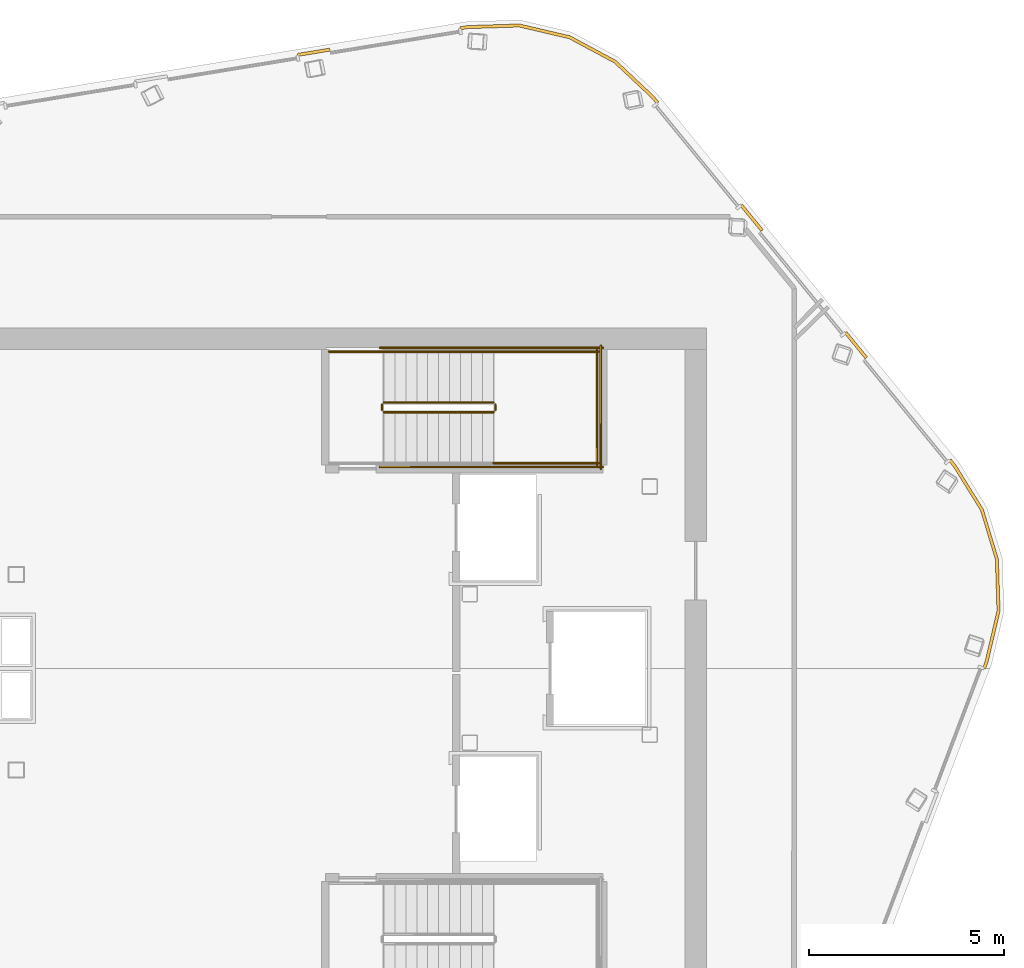
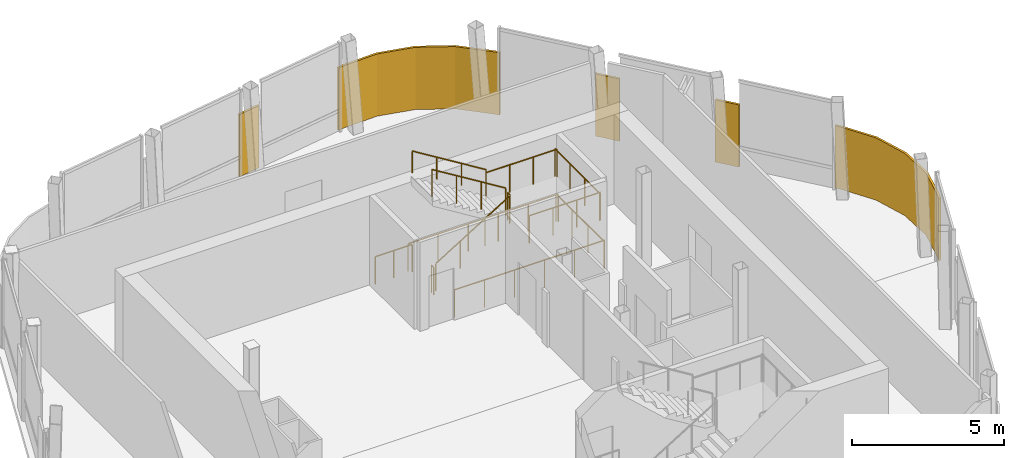
# One storey, part 8 of 8: 12 railings, 5 coverings.
"""IFC4 building model written with IfcOpenShell, lengths in metres."""

from ifc_helpers import new_model, si_unit, direction, frame, origin, origin_2d, place, context, subcontext, project, spatial, polyline, circle, outline, extrude, material, layer, layer_set, type_object, element, save


model = new_model("IFC4")

# Units and contexts
model_context = context("Model", 3, precision=1e-05, world=origin(), true_north=direction((0.0, 1.0)))
body_context = subcontext(model_context, "Body", "Model", "MODEL_VIEW")
ifc_project = project(units=[si_unit("LENGTHUNIT", "METRE"), si_unit("AREAUNIT", "SQUARE_METRE"), si_unit("VOLUMEUNIT", "CUBIC_METRE"), si_unit("PLANEANGLEUNIT", "RADIAN"), si_unit("MASSUNIT", "GRAM", prefix="KILO")], contexts=[model_context])

# Site, building, storey
site_placement = place(None, origin())
site = spatial("IfcSite", under=ifc_project, at=site_placement, CompositionType="ELEMENT")
building_placement = place(site_placement, origin())
building = spatial("IfcBuilding", under=site, at=building_placement, Name="Valkerne Bourse Tower", CompositionType="ELEMENT")
storey_placement = place(building_placement, frame((0.0, 0.0, 323.0)))
storey = spatial("IfcBuildingStorey", under=building, at=storey_placement, Name="L82", CompositionType="ELEMENT", Elevation=323.0)

# Coverings
ifc_material_1 = material(Name="Bronze Anodised Aluminium AA 6063-T6", Category="aluminium")
ifc_layer = layer(ifc_material_1, 0.06005859375)
ifc_layer_set = layer_set([ifc_layer], Name="Bronze Anodised Aluminium AA 6063-T6")
covering_type = type_object("IfcCoveringType", Name="COV-CRN-ALUM", PredefinedType="CLADDING", material=ifc_layer_set)
covering_1_placement = place(storey_placement, origin())
element("IfcCovering", 1, at=covering_1_placement, inside=storey, type_object=covering_type, Name="L82 Wind-Shaped Corner Aluminium Cladding 01", PredefinedType="CLADDING", context=body_context, shape_type="SweptSolid", body=[
    extrude(outline(polyline([(63.482666015625, 31.069091796875), (63.867431640625, 29.794921875), (63.9091796875, 28.46435546875), (63.603759765625, 27.162109375), (63.535400390625, 26.981201171875), (63.460693359375, 27.009521484375), (63.527099609375, 27.185302734375), (63.828857421875, 28.472412109375), (63.78759765625, 29.781982421875), (63.4091796875, 31.035888671875), (62.71240234375, 32.159423828125), (62.59326171875, 32.304931640625), (62.6552734375, 32.355712890625), (62.777587890625, 32.2060546875), (63.482666015625, 31.069091796875)])), origin(), (0.0, 0.0, 1.0), 2.5),
])
covering_2_placement = place(storey_placement, origin())
element("IfcCovering", 2, at=covering_2_placement, inside=storey, type_object=covering_type, Name="L82 Wind-Shaped Corner Aluminium Cladding 15", PredefinedType="CLADDING", context=body_context, shape_type="SweptSolid", body=[
    extrude(outline(polyline([(46.76171875, 42.864013671875), (46.774658203125, 42.78515625), (45.94580078125, 42.6494140625), (45.932861328125, 42.728271484375), (46.76171875, 42.864013671875)])), origin(), (0.0, 0.0, 1.0), 2.5),
])
covering_3_placement = place(storey_placement, origin())
element("IfcCovering", 3, at=covering_3_placement, inside=storey, type_object=covering_type, Name="L82 Wind-Shaped Corner Aluminium Cladding 16", PredefinedType="CLADDING", context=body_context, shape_type="SweptSolid", body=[
    extrude(outline(polyline([(50.2802734375, 43.440185546875), (51.6171875, 43.482177734375), (52.9130859375, 43.17822265625), (54.086181640625, 42.54931640625), (55.0615234375, 41.63330078125), (55.183837890625, 41.48388671875), (55.1220703125, 41.43310546875), (55.0029296875, 41.57861328125), (54.039306640625, 42.483642578125), (52.884765625, 43.102783203125), (51.609375, 43.40185546875), (50.287841796875, 43.3603515625), (50.1025390625, 43.330078125), (50.089599609375, 43.408935546875), (50.2802734375, 43.440185546875)])), origin(), (0.0, 0.0, 1.0), 2.5),
])
covering_4_placement = place(storey_placement, origin())
element("IfcCovering", 4, at=covering_4_placement, inside=storey, type_object=covering_type, Name="L82 Wind-Shaped Corner Aluminium Cladding 17", PredefinedType="CLADDING", context=body_context, shape_type="SweptSolid", body=[
    extrude(outline(polyline([(57.851806640625, 38.224609375), (57.789794921875, 38.173828125), (57.2578125, 38.82373046875), (57.319580078125, 38.87451171875), (57.851806640625, 38.224609375)])), origin(), (0.0, 0.0, 1.0), 2.5),
])
covering_5_placement = place(storey_placement, origin())
element("IfcCovering", 5, at=covering_5_placement, inside=storey, type_object=covering_type, Name="L82 Wind-Shaped Corner Aluminium Cladding 18", PredefinedType="CLADDING", context=body_context, shape_type="SweptSolid", body=[
    extrude(outline(polyline([(60.51953125, 34.965087890625), (60.45751953125, 34.914306640625), (59.925537109375, 35.564453125), (59.987548828125, 35.614990234375), (60.51953125, 34.965087890625)])), origin(), (0.0, 0.0, 1.0), 2.5),
])

# Railings
ifc_material_2 = material(Name="Galvanised Painted Steel", Category="steel")
railing_type_1 = type_object("IfcRailingType", Name="RLG-ST-GUARD-1120", PredefinedType="GUARDRAIL", material=ifc_material_2)
railing_1_placement = place(storey_placement, frame((48.14990234375, 33.550048828125, 0.172607421875)))
element("IfcRailing", 6, at=railing_1_placement, inside=storey, type_object=railing_type_1, Name="L82 ST-2 stair guard 1", PredefinedType="GUARDRAIL", context=body_context, shape_type="SweptSolid", body=[
    extrude(circle(Radius=0.02392578125, at=origin_2d()), frame((0.0, 0.0, 1.09619140625), z_axis=(0.851089632645, 0.0, 0.525020415988), x_axis=(0.0, 1.0, 0.0)), (0.0, 0.0, 1.0), 3.2900390625),
    extrude(circle(Radius=0.02099609375, at=origin_2d()), origin(), (0.0, 0.0, 1.0), 1.072021484375),
    extrude(circle(Radius=0.02099609375, at=origin_2d()), frame((0.933349609375, 0.0, 0.57568359375)), (0.0, 0.0, 1.0), 1.072021484375),
    extrude(circle(Radius=0.02099609375, at=origin_2d()), frame((1.86669921875, 0.0, 1.151611328125)), (0.0, 0.0, 1.0), 1.072021484375),
    extrude(circle(Radius=0.02099609375, at=origin_2d()), frame((2.800048828125, 0.0, 1.727294921875)), (0.0, 0.0, 1.0), 1.072021484375),
])
railing_2_placement = place(storey_placement, frame((51.0, 33.60009765625, 1.89990234375)))
element("IfcRailing", 7, at=railing_2_placement, inside=storey, type_object=railing_type_1, Name="L82 ST-2 stair guard 2", PredefinedType="GUARDRAIL", context=body_context, shape_type="SweptSolid", body=[
    extrude(circle(Radius=0.02392578125, at=origin_2d()), frame((0.0, 0.0, 1.09619140625), z_axis=(0.0, 1.0, 0.0), x_axis=(-1.0, 0.0, 0.0)), (0.0, 0.0, 1.0), 0.14990234375),
    extrude(circle(Radius=0.02099609375, at=origin_2d()), origin(), (0.0, 0.0, 1.0), 1.072021484375),
    extrude(circle(Radius=0.02099609375, at=origin_2d()), frame((0.0, 0.14990234375, 0.0)), (0.0, 0.0, 1.0), 1.072021484375),
])
for number, where, name in (
    (8, (50.949951171875, 32.25, 1.89990234375), "L82 ST-2 stair guard 3"),
    (9, (50.949951171875, 35.10009765625, 1.89990234375), "L82 ST-2 stair guard 4"),
):
    element("IfcRailing", number, at=place(storey_placement, frame(where)), inside=storey, type_object=railing_type_1, Name=name, PredefinedType="GUARDRAIL", context=body_context, shape_type="SweptSolid", body=[
        extrude(circle(Radius=0.02392578125, at=origin_2d()), frame((0.0, 0.0, 1.09619140625), z_axis=(1.0, 0.0, 0.0), x_axis=(0.0, 1.0, 0.0)), (0.0, 0.0, 1.0), 2.699951171875),
        extrude(circle(Radius=0.02099609375, at=origin_2d()), origin(), (0.0, 0.0, 1.0), 1.072021484375),
        extrude(circle(Radius=0.02099609375, at=origin_2d()), frame((0.89990234375, 0.0, 0.0)), (0.0, 0.0, 1.0), 1.072021484375),
        extrude(circle(Radius=0.02099609375, at=origin_2d()), frame((1.800048828125, 0.0, 0.0)), (0.0, 0.0, 1.0), 1.072021484375),
        extrude(circle(Radius=0.02099609375, at=origin_2d()), frame((2.699951171875, 0.0, 0.0)), (0.0, 0.0, 1.0), 1.072021484375),
    ])
railing_3_placement = place(storey_placement, frame((53.60009765625, 32.199951171875, 1.89990234375)))
element("IfcRailing", 10, at=railing_3_placement, inside=storey, type_object=railing_type_1, Name="L82 ST-2 stair guard 5", PredefinedType="GUARDRAIL", context=body_context, shape_type="SweptSolid", body=[
    extrude(circle(Radius=0.02392578125, at=origin_2d()), frame((0.0, 0.0, 1.09619140625), z_axis=(0.0, 1.0, 0.0), x_axis=(-1.0, 0.0, 0.0)), (0.0, 0.0, 1.0), 2.949951171875),
    extrude(circle(Radius=0.02099609375, at=origin_2d()), origin(), (0.0, 0.0, 1.0), 1.072021484375),
    extrude(circle(Radius=0.02099609375, at=origin_2d()), frame((0.0, 0.9833984375, 0.0)), (0.0, 0.0, 1.0), 1.072021484375),
    extrude(circle(Radius=0.02099609375, at=origin_2d()), frame((0.0, 1.966552734375, 0.0)), (0.0, 0.0, 1.0), 1.072021484375),
    extrude(circle(Radius=0.02099609375, at=origin_2d()), frame((0.0, 2.949951171875, 0.0)), (0.0, 0.0, 1.0), 1.072021484375),
])
railing_4_placement = place(storey_placement, frame((50.949951171875, 33.800048828125, 2.07275390625)))
element("IfcRailing", 11, at=railing_4_placement, inside=storey, type_object=railing_type_1, Name="L82 ST-2 stair guard 6", PredefinedType="GUARDRAIL", context=body_context, shape_type="SweptSolid", body=[
    extrude(circle(Radius=0.02392578125, at=origin_2d()), frame((0.0, 0.0, 1.09619140625), z_axis=(-0.851089632645, 0.0, 0.525020415988), x_axis=(0.0, -1.0, 0.0)), (0.0, 0.0, 1.0), 3.2900390625),
    extrude(circle(Radius=0.02099609375, at=origin_2d()), origin(), (0.0, 0.0, 1.0), 1.072021484375),
    extrude(circle(Radius=0.02099609375, at=origin_2d()), frame((-0.933349609375, 0.0, 0.57568359375)), (0.0, 0.0, 1.0), 1.072021484375),
    extrude(circle(Radius=0.02099609375, at=origin_2d()), frame((-1.86669921875, 0.0, 1.151611328125)), (0.0, 0.0, 1.0), 1.072021484375),
    extrude(circle(Radius=0.02099609375, at=origin_2d()), frame((-2.800048828125, 0.0, 1.727294921875)), (0.0, 0.0, 1.0), 1.072021484375),
])
railing_5_placement = place(storey_placement, frame((48.10009765625, 33.60009765625, 0.0)))
element("IfcRailing", 12, at=railing_5_placement, inside=storey, type_object=railing_type_1, Name="L82 ST-2 stair guard 7", PredefinedType="GUARDRAIL", context=body_context, shape_type="SweptSolid", body=[
    extrude(circle(Radius=0.02392578125, at=origin_2d()), frame((0.0, 0.0, 1.09619140625), z_axis=(0.0, 1.0, 0.0), x_axis=(-1.0, 0.0, 0.0)), (0.0, 0.0, 1.0), 0.14990234375),
    extrude(circle(Radius=0.02099609375, at=origin_2d()), origin(), (0.0, 0.0, 1.0), 1.072021484375),
    extrude(circle(Radius=0.02099609375, at=origin_2d()), frame((0.0, 0.14990234375, 0.0)), (0.0, 0.0, 1.0), 1.072021484375),
])
railing_6_placement = place(storey_placement, frame((46.75, 35.10009765625, 0.0)))
element("IfcRailing", 13, at=railing_6_placement, inside=storey, type_object=railing_type_1, Name="L82 ST-2 stair guard 9", PredefinedType="GUARDRAIL", context=body_context, shape_type="SweptSolid", body=[
    extrude(circle(Radius=0.02392578125, at=origin_2d()), frame((0.0, 0.0, 1.09619140625), z_axis=(1.0, 0.0, 0.0), x_axis=(0.0, 1.0, 0.0)), (0.0, 0.0, 1.0), 1.39990234375),
    extrude(circle(Radius=0.02099609375, at=origin_2d()), origin(), (0.0, 0.0, 1.0), 1.072021484375),
    extrude(circle(Radius=0.02099609375, at=origin_2d()), frame((0.699951171875, 0.0, 0.0)), (0.0, 0.0, 1.0), 1.072021484375),
    extrude(circle(Radius=0.02099609375, at=origin_2d()), frame((1.39990234375, 0.0, 0.0)), (0.0, 0.0, 1.0), 1.072021484375),
])
for number, where, name in (
    (14, (48.050048828125, 32.14990234375, 0.0), "L82 ST-2 stair guard 10"),
    (15, (48.050048828125, 35.199951171875, 0.0), "L82 ST-2 stair guard 11"),
):
    element("IfcRailing", number, at=place(storey_placement, frame(where)), inside=storey, type_object=railing_type_1, Name=name, PredefinedType="GUARDRAIL", context=body_context, shape_type="SweptSolid", body=[
        extrude(circle(Radius=0.02392578125, at=origin_2d()), frame((0.0, 0.0, 1.09619140625), z_axis=(1.0, 0.0, 0.0), x_axis=(0.0, 1.0, 0.0)), (0.0, 0.0, 1.0), 5.699951171875),
        extrude(circle(Radius=0.02099609375, at=origin_2d()), origin(), (0.0, 0.0, 1.0), 1.072021484375),
        extrude(circle(Radius=0.02099609375, at=origin_2d()), frame((1.139892578125, 0.0, 0.0)), (0.0, 0.0, 1.0), 1.072021484375),
        extrude(circle(Radius=0.02099609375, at=origin_2d()), frame((2.280029296875, 0.0, 0.0)), (0.0, 0.0, 1.0), 1.072021484375),
        extrude(circle(Radius=0.02099609375, at=origin_2d()), frame((3.419921875, 0.0, 0.0)), (0.0, 0.0, 1.0), 1.072021484375),
        extrude(circle(Radius=0.02099609375, at=origin_2d()), frame((4.56005859375, 0.0, 0.0)), (0.0, 0.0, 1.0), 1.072021484375),
        extrude(circle(Radius=0.02099609375, at=origin_2d()), frame((5.699951171875, 0.0, 0.0)), (0.0, 0.0, 1.0), 1.072021484375),
    ])
railing_7_placement = place(storey_placement, frame((53.699951171875, 32.10009765625, 0.0)))
element("IfcRailing", 16, at=railing_7_placement, inside=storey, type_object=railing_type_1, Name="L82 ST-2 stair guard 12", PredefinedType="GUARDRAIL", context=body_context, shape_type="SweptSolid", body=[
    extrude(circle(Radius=0.02392578125, at=origin_2d()), frame((0.0, 0.0, 1.09619140625), z_axis=(0.0, 1.0, 0.0), x_axis=(-1.0, 0.0, 0.0)), (0.0, 0.0, 1.0), 3.14990234375),
    extrude(circle(Radius=0.02099609375, at=origin_2d()), origin(), (0.0, 0.0, 1.0), 1.072021484375),
    extrude(circle(Radius=0.02099609375, at=origin_2d()), frame((0.0, 1.050048828125, 0.0)), (0.0, 0.0, 1.0), 1.072021484375),
    extrude(circle(Radius=0.02099609375, at=origin_2d()), frame((0.0, 2.099853515625, 0.0)), (0.0, 0.0, 1.0), 1.072021484375),
    extrude(circle(Radius=0.02099609375, at=origin_2d()), frame((0.0, 3.14990234375, 0.0)), (0.0, 0.0, 1.0), 1.072021484375),
])
ifc_material_3 = material(Name="Stainless Steel AISI 316", Category="steel")
railing_type_2 = type_object("IfcRailingType", Name="RLG-ST-HANDRAIL-900", PredefinedType="HANDRAIL", material=ifc_material_3)
railing_8_placement = place(storey_placement, frame((50.949951171875, 35.10009765625, 2.245361328125)))
element("IfcRailing", 17, at=railing_8_placement, inside=storey, type_object=railing_type_2, Name="L82 ST-2 stair handrail 2", PredefinedType="HANDRAIL", context=body_context, shape_type="SweptSolid", body=[
    extrude(circle(Radius=0.02392578125, at=origin_2d()), frame((0.0, 0.0, 0.8759765625), z_axis=(-0.851089632645, 0.0, 0.525020415988), x_axis=(0.0, -1.0, 0.0)), (0.0, 0.0, 1.0), 3.2900390625),
    extrude(circle(Radius=0.02099609375, at=origin_2d()), origin(), (0.0, 0.0, 1.0), 0.851806640625),
    extrude(circle(Radius=0.02099609375, at=origin_2d()), frame((-0.933349609375, 0.0, 0.57568359375)), (0.0, 0.0, 1.0), 0.851806640625),
    extrude(circle(Radius=0.02099609375, at=origin_2d()), frame((-1.86669921875, 0.0, 1.151611328125)), (0.0, 0.0, 1.0), 0.851806640625),
    extrude(circle(Radius=0.02099609375, at=origin_2d()), frame((-2.800048828125, 0.0, 1.727294921875)), (0.0, 0.0, 1.0), 0.851806640625),
])

save(model, "model.ifc")
